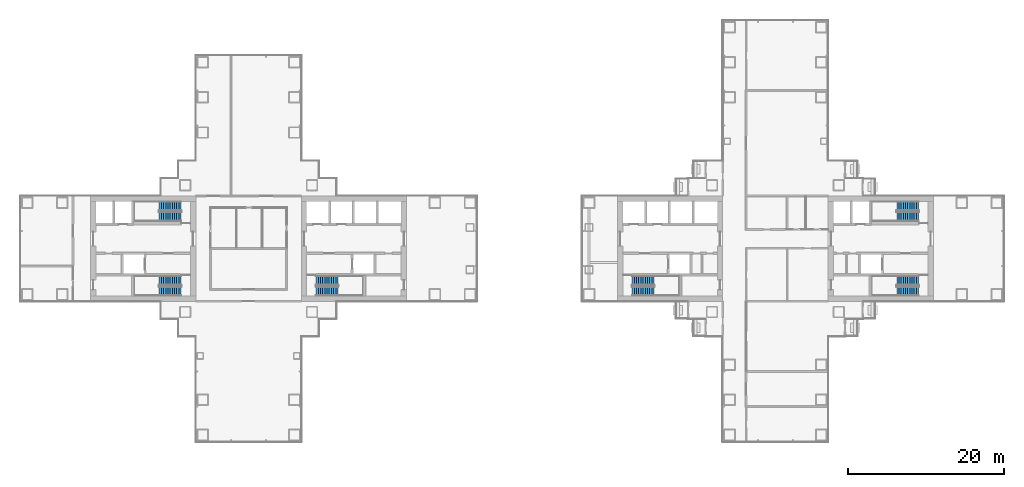
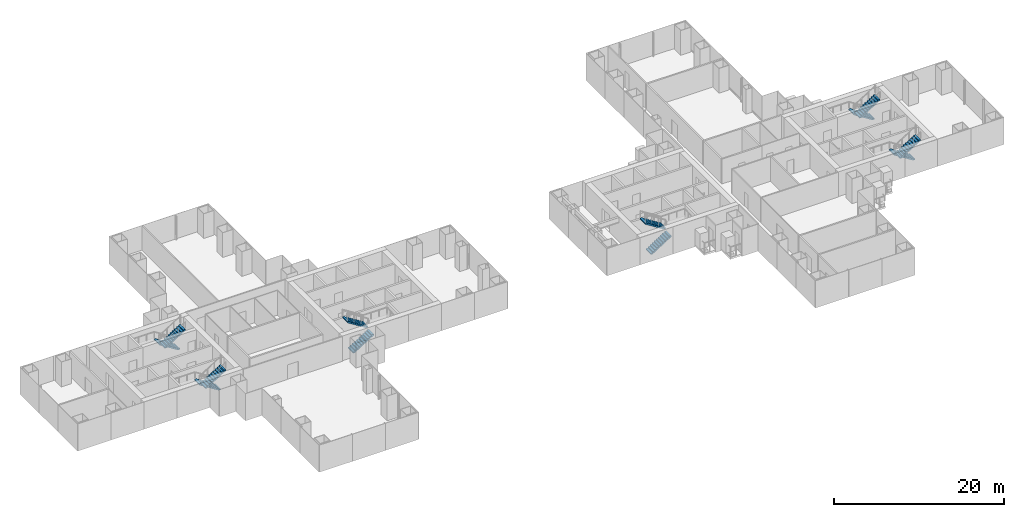
# One storey, part 19 of 22: 12 stair flights, 6 elements without a shape of their own.
"""IFC4 building model written with IfcOpenShell, lengths in metres."""

from ifc_helpers import new_model, si_unit, direction, frame, origin, place, context, subcontext, project, spatial, polyline, outline, extrude, material, type_object, element, aggregate, save


model = new_model("IFC4")

# Units and contexts
model_context = context("Model", 3, precision=1e-05, world=origin(), true_north=direction((0.0, 1.0)))
body_context = subcontext(model_context, "Body", "Model", "MODEL_VIEW")
ifc_project = project(units=[si_unit("LENGTHUNIT", "METRE"), si_unit("AREAUNIT", "SQUARE_METRE"), si_unit("VOLUMEUNIT", "CUBIC_METRE"), si_unit("PLANEANGLEUNIT", "RADIAN"), si_unit("MASSUNIT", "GRAM", prefix="KILO")], contexts=[model_context])

# Site, building, storey
site_placement = place(None, origin())
site = spatial("IfcSite", under=ifc_project, at=site_placement, CompositionType="ELEMENT")
building_placement = place(site_placement, origin())
building = spatial("IfcBuilding", under=site, at=building_placement, Name="Shamsa Quay Exchange Towers", CompositionType="ELEMENT")
storey_placement = place(building_placement, frame((0.0, 0.0, 69.300048828125)))
storey = spatial("IfcBuildingStorey", under=building, at=storey_placement, Name="L15", CompositionType="ELEMENT", Elevation=69.300048828125)

# Stair, stair flights
ifc_material = material(Name="Concrete C40/50", Category="concrete")
stair_type = type_object("IfcStairType", Name="EXIT STAIR 22 RISERS 177 MM", PredefinedType="HALF_TURN_STAIR", material=ifc_material)
stair_1_placement = place(storey_placement, origin())
stair_1 = element("IfcStair", 1, at=stair_1_placement, inside=storey, type_object=stair_type, Name="L15 Exit stair ST1", PredefinedType="HALF_TURN_STAIR")
stair_flight_type = type_object("IfcStairFlightType", Name="EXIT STAIR FLIGHT 11 RISERS 177 MM", PredefinedType="STRAIGHT", material=ifc_material)
stair_flight_1_placement = place(storey_placement, frame((-25.10009765625, -5.449951171875, 0.0)))
stair_flight_1 = element("IfcStairFlight", 2, at=stair_flight_1_placement, type_object=stair_flight_type, Name="ST1 flight 1", NumberOfRisers=11, NumberOfTreads=10, PredefinedType="STRAIGHT", RiserHeight=0.177272727, TreadLength=0.28, context=body_context, shape_type="SweptSolid", body=[
    extrude(outline(polyline([(0.0, 0.0), (0.0, 0.17724609375), (0.280029296875, 0.17724609375), (0.280029296875, 0.3544921875), (0.56005859375, 0.3544921875), (0.56005859375, 0.53173828125), (0.840087890625, 0.53173828125), (0.840087890625, 0.708984375), (1.1201171875, 0.708984375), (1.1201171875, 0.886474609375), (1.39990234375, 0.886474609375), (1.39990234375, 1.063720703125), (1.679931640625, 1.063720703125), (1.679931640625, 1.240966796875), (1.9599609375, 1.240966796875), (1.9599609375, 1.418212890625), (2.239990234375, 1.418212890625), (2.239990234375, 1.595458984375), (2.52001953125, 1.595458984375), (2.52001953125, 1.772705078125), (2.800048828125, 1.772705078125), (2.800048828125, 1.949951171875), (2.800048828125, 1.607177734375), (0.261474609375, 0.0), (0.0, 0.0)])), frame((0.0, 0.60009765625, 0.0), z_axis=(0.0, -1.0, 0.0), x_axis=(1.0, 0.0, 0.0)), (0.0, 0.0, 1.0), 1.199951171875),
])
stair_flight_2_placement = place(storey_placement, frame((-22.300048828125, -4.10009765625, 1.949951171875), z_axis=(0.0, 0.0, 1.0), x_axis=(-1.0, 0.0, 0.0)))
stair_flight_2 = element("IfcStairFlight", 3, at=stair_flight_2_placement, type_object=stair_flight_type, Name="ST1 flight 2", NumberOfRisers=11, NumberOfTreads=10, PredefinedType="STRAIGHT", RiserHeight=0.177272727, TreadLength=0.28, context=body_context, shape_type="SweptSolid", body=[
    extrude(outline(polyline([(0.0, 0.0), (0.0, 0.17724609375), (0.280029296875, 0.17724609375), (0.280029296875, 0.3544921875), (0.56005859375, 0.3544921875), (0.56005859375, 0.53173828125), (0.840087890625, 0.53173828125), (0.840087890625, 0.708984375), (1.1201171875, 0.708984375), (1.1201171875, 0.886474609375), (1.39990234375, 0.886474609375), (1.39990234375, 1.063720703125), (1.679931640625, 1.063720703125), (1.679931640625, 1.240966796875), (1.9599609375, 1.240966796875), (1.9599609375, 1.418212890625), (2.239990234375, 1.418212890625), (2.239990234375, 1.595458984375), (2.52001953125, 1.595458984375), (2.52001953125, 1.772705078125), (2.800048828125, 1.772705078125), (2.800048828125, 1.949951171875), (2.800048828125, 1.607177734375), (0.261474609375, 0.0), (0.0, 0.0)])), frame((0.0, 0.60009765625, 0.0), z_axis=(0.0, -1.0, 0.0), x_axis=(1.0, 0.0, 0.0)), (0.0, 0.0, 1.0), 1.199951171875),
])
aggregate(stair_1, [stair_flight_1, stair_flight_2])

stair_2_placement = place(storey_placement, origin())
stair_2 = element("IfcStair", 4, at=stair_2_placement, inside=storey, type_object=stair_type, Name="L15 Exit stair ST2", PredefinedType="HALF_TURN_STAIR")
stair_flight_3_placement = place(storey_placement, frame((-42.39990234375, -4.10009765625, 0.0), z_axis=(0.0, 0.0, 1.0), x_axis=(-1.0, 0.0, 0.0)))
stair_flight_3 = element("IfcStairFlight", 5, at=stair_flight_3_placement, type_object=stair_flight_type, Name="ST2 flight 1", NumberOfRisers=11, NumberOfTreads=10, PredefinedType="STRAIGHT", RiserHeight=0.177272727, TreadLength=0.28, context=body_context, shape_type="SweptSolid", body=[
    extrude(outline(polyline([(0.0, 0.0), (0.0, 0.17724609375), (0.280029296875, 0.17724609375), (0.280029296875, 0.3544921875), (0.56005859375, 0.3544921875), (0.56005859375, 0.53173828125), (0.840087890625, 0.53173828125), (0.840087890625, 0.708984375), (1.1201171875, 0.708984375), (1.1201171875, 0.886474609375), (1.39990234375, 0.886474609375), (1.39990234375, 1.063720703125), (1.679931640625, 1.063720703125), (1.679931640625, 1.240966796875), (1.9599609375, 1.240966796875), (1.9599609375, 1.418212890625), (2.239990234375, 1.418212890625), (2.239990234375, 1.595458984375), (2.52001953125, 1.595458984375), (2.52001953125, 1.772705078125), (2.800048828125, 1.772705078125), (2.800048828125, 1.949951171875), (2.800048828125, 1.607177734375), (0.261474609375, 0.0), (0.0, 0.0)])), frame((0.0, 0.60009765625, 0.0), z_axis=(0.0, -1.0, 0.0), x_axis=(1.0, 0.0, 0.0)), (0.0, 0.0, 1.0), 1.199951171875),
])
stair_flight_4_placement = place(storey_placement, frame((-45.199951171875, -5.449951171875, 1.949951171875)))
stair_flight_4 = element("IfcStairFlight", 6, at=stair_flight_4_placement, type_object=stair_flight_type, Name="ST2 flight 2", NumberOfRisers=11, NumberOfTreads=10, PredefinedType="STRAIGHT", RiserHeight=0.177272727, TreadLength=0.28, context=body_context, shape_type="SweptSolid", body=[
    extrude(outline(polyline([(0.0, 0.0), (0.0, 0.17724609375), (0.280029296875, 0.17724609375), (0.280029296875, 0.3544921875), (0.56005859375, 0.3544921875), (0.56005859375, 0.53173828125), (0.840087890625, 0.53173828125), (0.840087890625, 0.708984375), (1.1201171875, 0.708984375), (1.1201171875, 0.886474609375), (1.39990234375, 0.886474609375), (1.39990234375, 1.063720703125), (1.679931640625, 1.063720703125), (1.679931640625, 1.240966796875), (1.9599609375, 1.240966796875), (1.9599609375, 1.418212890625), (2.239990234375, 1.418212890625), (2.239990234375, 1.595458984375), (2.52001953125, 1.595458984375), (2.52001953125, 1.772705078125), (2.800048828125, 1.772705078125), (2.800048828125, 1.949951171875), (2.800048828125, 1.607177734375), (0.261474609375, 0.0), (0.0, 0.0)])), frame((0.0, 0.60009765625, 0.0), z_axis=(0.0, -1.0, 0.0), x_axis=(1.0, 0.0, 0.0)), (0.0, 0.0, 1.0), 1.199951171875),
])
aggregate(stair_2, [stair_flight_3, stair_flight_4])

stair_3_placement = place(storey_placement, origin())
stair_3 = element("IfcStair", 7, at=stair_3_placement, inside=storey, type_object=stair_type, Name="L15 Exit stair ST3", PredefinedType="HALF_TURN_STAIR")
stair_flight_5_placement = place(storey_placement, frame((-42.39990234375, 5.449951171875, 0.0), z_axis=(0.0, 0.0, 1.0), x_axis=(-1.0, 0.0, 0.0)))
stair_flight_5 = element("IfcStairFlight", 8, at=stair_flight_5_placement, type_object=stair_flight_type, Name="ST3 flight 1", NumberOfRisers=11, NumberOfTreads=10, PredefinedType="STRAIGHT", RiserHeight=0.177272727, TreadLength=0.28, context=body_context, shape_type="SweptSolid", body=[
    extrude(outline(polyline([(0.0, 0.0), (0.0, 0.17724609375), (0.280029296875, 0.17724609375), (0.280029296875, 0.3544921875), (0.56005859375, 0.3544921875), (0.56005859375, 0.53173828125), (0.840087890625, 0.53173828125), (0.840087890625, 0.708984375), (1.1201171875, 0.708984375), (1.1201171875, 0.886474609375), (1.39990234375, 0.886474609375), (1.39990234375, 1.063720703125), (1.679931640625, 1.063720703125), (1.679931640625, 1.240966796875), (1.9599609375, 1.240966796875), (1.9599609375, 1.418212890625), (2.239990234375, 1.418212890625), (2.239990234375, 1.595458984375), (2.52001953125, 1.595458984375), (2.52001953125, 1.772705078125), (2.800048828125, 1.772705078125), (2.800048828125, 1.949951171875), (2.800048828125, 1.607177734375), (0.261474609375, 0.0), (0.0, 0.0)])), frame((0.0, 0.60009765625, 0.0), z_axis=(0.0, -1.0, 0.0), x_axis=(1.0, 0.0, 0.0)), (0.0, 0.0, 1.0), 1.199951171875),
])
stair_flight_6_placement = place(storey_placement, frame((-45.199951171875, 4.10009765625, 1.949951171875)))
stair_flight_6 = element("IfcStairFlight", 9, at=stair_flight_6_placement, type_object=stair_flight_type, Name="ST3 flight 2", NumberOfRisers=11, NumberOfTreads=10, PredefinedType="STRAIGHT", RiserHeight=0.177272727, TreadLength=0.28, context=body_context, shape_type="SweptSolid", body=[
    extrude(outline(polyline([(0.0, 0.0), (0.0, 0.17724609375), (0.280029296875, 0.17724609375), (0.280029296875, 0.3544921875), (0.56005859375, 0.3544921875), (0.56005859375, 0.53173828125), (0.840087890625, 0.53173828125), (0.840087890625, 0.708984375), (1.1201171875, 0.708984375), (1.1201171875, 0.886474609375), (1.39990234375, 0.886474609375), (1.39990234375, 1.063720703125), (1.679931640625, 1.063720703125), (1.679931640625, 1.240966796875), (1.9599609375, 1.240966796875), (1.9599609375, 1.418212890625), (2.239990234375, 1.418212890625), (2.239990234375, 1.595458984375), (2.52001953125, 1.595458984375), (2.52001953125, 1.772705078125), (2.800048828125, 1.772705078125), (2.800048828125, 1.949951171875), (2.800048828125, 1.607177734375), (0.261474609375, 0.0), (0.0, 0.0)])), frame((0.0, 0.60009765625, 0.0), z_axis=(0.0, -1.0, 0.0), x_axis=(1.0, 0.0, 0.0)), (0.0, 0.0, 1.0), 1.199951171875),
])
aggregate(stair_3, [stair_flight_5, stair_flight_6])

stair_4_placement = place(storey_placement, origin())
stair_4 = element("IfcStair", 10, at=stair_4_placement, inside=storey, type_object=stair_type, Name="L15 Exit stair ST4", PredefinedType="HALF_TURN_STAIR")
stair_flight_7_placement = place(storey_placement, frame((15.39990234375, -5.449951171875, 0.0)))
stair_flight_7 = element("IfcStairFlight", 11, at=stair_flight_7_placement, type_object=stair_flight_type, Name="ST4 flight 1", NumberOfRisers=11, NumberOfTreads=10, PredefinedType="STRAIGHT", RiserHeight=0.177272727, TreadLength=0.28, context=body_context, shape_type="SweptSolid", body=[
    extrude(outline(polyline([(0.0, 0.0), (0.0, 0.17724609375), (0.280029296875, 0.17724609375), (0.280029296875, 0.3544921875), (0.56005859375, 0.3544921875), (0.56005859375, 0.53173828125), (0.840087890625, 0.53173828125), (0.840087890625, 0.708984375), (1.1201171875, 0.708984375), (1.1201171875, 0.886474609375), (1.39990234375, 0.886474609375), (1.39990234375, 1.063720703125), (1.679931640625, 1.063720703125), (1.679931640625, 1.240966796875), (1.9599609375, 1.240966796875), (1.9599609375, 1.418212890625), (2.239990234375, 1.418212890625), (2.239990234375, 1.595458984375), (2.52001953125, 1.595458984375), (2.52001953125, 1.772705078125), (2.800048828125, 1.772705078125), (2.800048828125, 1.949951171875), (2.800048828125, 1.607177734375), (0.261474609375, 0.0), (0.0, 0.0)])), frame((0.0, 0.60009765625, 0.0), z_axis=(0.0, -1.0, 0.0), x_axis=(1.0, 0.0, 0.0)), (0.0, 0.0, 1.0), 1.199951171875),
])
stair_flight_8_placement = place(storey_placement, frame((18.199951171875, -4.10009765625, 1.949951171875), z_axis=(0.0, 0.0, 1.0), x_axis=(-1.0, 0.0, 0.0)))
stair_flight_8 = element("IfcStairFlight", 12, at=stair_flight_8_placement, type_object=stair_flight_type, Name="ST4 flight 2", NumberOfRisers=11, NumberOfTreads=10, PredefinedType="STRAIGHT", RiserHeight=0.177272727, TreadLength=0.28, context=body_context, shape_type="SweptSolid", body=[
    extrude(outline(polyline([(0.0, 0.0), (0.0, 0.17724609375), (0.280029296875, 0.17724609375), (0.280029296875, 0.3544921875), (0.56005859375, 0.3544921875), (0.56005859375, 0.53173828125), (0.840087890625, 0.53173828125), (0.840087890625, 0.708984375), (1.1201171875, 0.708984375), (1.1201171875, 0.886474609375), (1.39990234375, 0.886474609375), (1.39990234375, 1.063720703125), (1.679931640625, 1.063720703125), (1.679931640625, 1.240966796875), (1.9599609375, 1.240966796875), (1.9599609375, 1.418212890625), (2.239990234375, 1.418212890625), (2.239990234375, 1.595458984375), (2.52001953125, 1.595458984375), (2.52001953125, 1.772705078125), (2.800048828125, 1.772705078125), (2.800048828125, 1.949951171875), (2.800048828125, 1.607177734375), (0.261474609375, 0.0), (0.0, 0.0)])), frame((0.0, 0.60009765625, 0.0), z_axis=(0.0, -1.0, 0.0), x_axis=(1.0, 0.0, 0.0)), (0.0, 0.0, 1.0), 1.199951171875),
])
aggregate(stair_4, [stair_flight_7, stair_flight_8])

stair_5_placement = place(storey_placement, origin())
stair_5 = element("IfcStair", 13, at=stair_5_placement, inside=storey, type_object=stair_type, Name="L15 Exit stair ST5", PredefinedType="HALF_TURN_STAIR")
stair_flight_9_placement = place(storey_placement, frame((52.10009765625, -4.10009765625, 0.0), z_axis=(0.0, 0.0, 1.0), x_axis=(-1.0, 0.0, 0.0)))
stair_flight_9 = element("IfcStairFlight", 14, at=stair_flight_9_placement, type_object=stair_flight_type, Name="ST5 flight 1", NumberOfRisers=11, NumberOfTreads=10, PredefinedType="STRAIGHT", RiserHeight=0.177272727, TreadLength=0.28, context=body_context, shape_type="SweptSolid", body=[
    extrude(outline(polyline([(0.0, 0.0), (0.0, 0.17724609375), (0.280029296875, 0.17724609375), (0.280029296875, 0.3544921875), (0.56005859375, 0.3544921875), (0.56005859375, 0.53173828125), (0.840087890625, 0.53173828125), (0.840087890625, 0.708984375), (1.1201171875, 0.708984375), (1.1201171875, 0.886474609375), (1.39990234375, 0.886474609375), (1.39990234375, 1.063720703125), (1.679931640625, 1.063720703125), (1.679931640625, 1.240966796875), (1.9599609375, 1.240966796875), (1.9599609375, 1.418212890625), (2.239990234375, 1.418212890625), (2.239990234375, 1.595458984375), (2.52001953125, 1.595458984375), (2.52001953125, 1.772705078125), (2.800048828125, 1.772705078125), (2.800048828125, 1.949951171875), (2.800048828125, 1.607177734375), (0.261474609375, 0.0), (0.0, 0.0)])), frame((0.0, 0.60009765625, 0.0), z_axis=(0.0, -1.0, 0.0), x_axis=(1.0, 0.0, 0.0)), (0.0, 0.0, 1.0), 1.199951171875),
])
stair_flight_10_placement = place(storey_placement, frame((49.300048828125, -5.449951171875, 1.949951171875)))
stair_flight_10 = element("IfcStairFlight", 15, at=stair_flight_10_placement, type_object=stair_flight_type, Name="ST5 flight 2", NumberOfRisers=11, NumberOfTreads=10, PredefinedType="STRAIGHT", RiserHeight=0.177272727, TreadLength=0.28, context=body_context, shape_type="SweptSolid", body=[
    extrude(outline(polyline([(0.0, 0.0), (0.0, 0.17724609375), (0.280029296875, 0.17724609375), (0.280029296875, 0.3544921875), (0.56005859375, 0.3544921875), (0.56005859375, 0.53173828125), (0.840087890625, 0.53173828125), (0.840087890625, 0.708984375), (1.1201171875, 0.708984375), (1.1201171875, 0.886474609375), (1.39990234375, 0.886474609375), (1.39990234375, 1.063720703125), (1.679931640625, 1.063720703125), (1.679931640625, 1.240966796875), (1.9599609375, 1.240966796875), (1.9599609375, 1.418212890625), (2.239990234375, 1.418212890625), (2.239990234375, 1.595458984375), (2.52001953125, 1.595458984375), (2.52001953125, 1.772705078125), (2.800048828125, 1.772705078125), (2.800048828125, 1.949951171875), (2.800048828125, 1.607177734375), (0.261474609375, 0.0), (0.0, 0.0)])), frame((0.0, 0.60009765625, 0.0), z_axis=(0.0, -1.0, 0.0), x_axis=(1.0, 0.0, 0.0)), (0.0, 0.0, 1.0), 1.199951171875),
])
aggregate(stair_5, [stair_flight_9, stair_flight_10])

stair_6_placement = place(storey_placement, origin())
stair_6 = element("IfcStair", 16, at=stair_6_placement, inside=storey, type_object=stair_type, Name="L15 Exit stair ST6", PredefinedType="HALF_TURN_STAIR")
stair_flight_11_placement = place(storey_placement, frame((52.10009765625, 5.449951171875, 0.0), z_axis=(0.0, 0.0, 1.0), x_axis=(-1.0, 0.0, 0.0)))
stair_flight_11 = element("IfcStairFlight", 17, at=stair_flight_11_placement, type_object=stair_flight_type, Name="ST6 flight 1", NumberOfRisers=11, NumberOfTreads=10, PredefinedType="STRAIGHT", RiserHeight=0.177272727, TreadLength=0.28, context=body_context, shape_type="SweptSolid", body=[
    extrude(outline(polyline([(0.0, 0.0), (0.0, 0.17724609375), (0.280029296875, 0.17724609375), (0.280029296875, 0.3544921875), (0.56005859375, 0.3544921875), (0.56005859375, 0.53173828125), (0.840087890625, 0.53173828125), (0.840087890625, 0.708984375), (1.1201171875, 0.708984375), (1.1201171875, 0.886474609375), (1.39990234375, 0.886474609375), (1.39990234375, 1.063720703125), (1.679931640625, 1.063720703125), (1.679931640625, 1.240966796875), (1.9599609375, 1.240966796875), (1.9599609375, 1.418212890625), (2.239990234375, 1.418212890625), (2.239990234375, 1.595458984375), (2.52001953125, 1.595458984375), (2.52001953125, 1.772705078125), (2.800048828125, 1.772705078125), (2.800048828125, 1.949951171875), (2.800048828125, 1.607177734375), (0.261474609375, 0.0), (0.0, 0.0)])), frame((0.0, 0.60009765625, 0.0), z_axis=(0.0, -1.0, 0.0), x_axis=(1.0, 0.0, 0.0)), (0.0, 0.0, 1.0), 1.199951171875),
])
stair_flight_12_placement = place(storey_placement, frame((49.300048828125, 4.10009765625, 1.949951171875)))
stair_flight_12 = element("IfcStairFlight", 18, at=stair_flight_12_placement, type_object=stair_flight_type, Name="ST6 flight 2", NumberOfRisers=11, NumberOfTreads=10, PredefinedType="STRAIGHT", RiserHeight=0.177272727, TreadLength=0.28, context=body_context, shape_type="SweptSolid", body=[
    extrude(outline(polyline([(0.0, 0.0), (0.0, 0.17724609375), (0.280029296875, 0.17724609375), (0.280029296875, 0.3544921875), (0.56005859375, 0.3544921875), (0.56005859375, 0.53173828125), (0.840087890625, 0.53173828125), (0.840087890625, 0.708984375), (1.1201171875, 0.708984375), (1.1201171875, 0.886474609375), (1.39990234375, 0.886474609375), (1.39990234375, 1.063720703125), (1.679931640625, 1.063720703125), (1.679931640625, 1.240966796875), (1.9599609375, 1.240966796875), (1.9599609375, 1.418212890625), (2.239990234375, 1.418212890625), (2.239990234375, 1.595458984375), (2.52001953125, 1.595458984375), (2.52001953125, 1.772705078125), (2.800048828125, 1.772705078125), (2.800048828125, 1.949951171875), (2.800048828125, 1.607177734375), (0.261474609375, 0.0), (0.0, 0.0)])), frame((0.0, 0.60009765625, 0.0), z_axis=(0.0, -1.0, 0.0), x_axis=(1.0, 0.0, 0.0)), (0.0, 0.0, 1.0), 1.199951171875),
])
aggregate(stair_6, [stair_flight_11, stair_flight_12])

save(model, "model.ifc")
